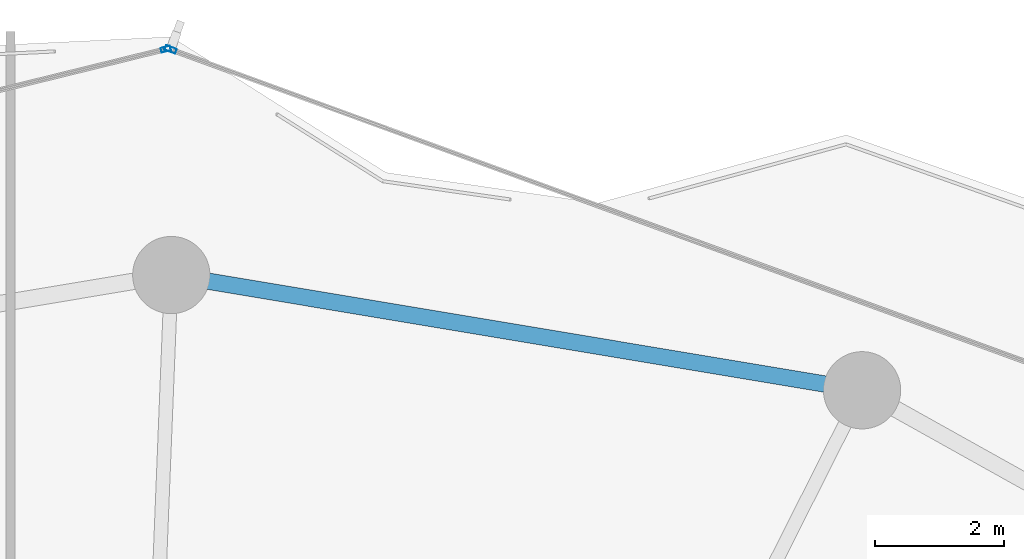
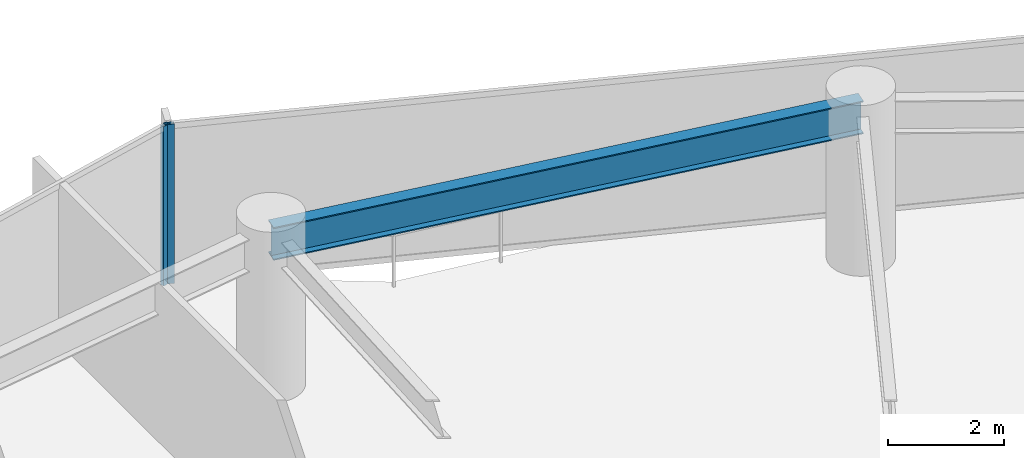
# One storey, part 19 of 28: 2 members, 1 beam, 2 elements without a shape of their own.
"""IFC4 building model written with IfcOpenShell, lengths in metres."""

from ifc_helpers import new_model, si_unit, direction, frame, origin, origin_2d, place, context, subcontext, project, spatial, hollow_rectangle, i_section, extrude, material, layer, layer_set, material_profile, profile_set, type_object, element, aggregate, save


model = new_model("IFC4")

# Units and contexts
model_context = context("Model", 3, precision=1e-05, world=origin(), true_north=direction((0.0, 1.0)))
body_context = subcontext(model_context, "Body", "Model", "MODEL_VIEW")
ifc_project = project(units=[si_unit("LENGTHUNIT", "METRE"), si_unit("AREAUNIT", "SQUARE_METRE"), si_unit("VOLUMEUNIT", "CUBIC_METRE"), si_unit("PLANEANGLEUNIT", "RADIAN"), si_unit("MASSUNIT", "GRAM", prefix="KILO")], contexts=[model_context])

# Site, building, storey
site_placement = place(None, origin())
site = spatial("IfcSite", under=ifc_project, at=site_placement, CompositionType="ELEMENT")
building_placement = place(site_placement, origin())
building = spatial("IfcBuilding", under=site, at=building_placement, Name="Kazevale Care Tower and Concert Hall", CompositionType="ELEMENT")
storey_placement = place(building_placement, frame((0.0, 0.0, 102.60009765625)))
storey = spatial("IfcBuildingStorey", under=building, at=storey_placement, Name="L26", CompositionType="ELEMENT", Elevation=102.60009765625)

# Curtain wall, member
ifc_material_1 = material(Name="Aluminium 6063-T6 and Low-E Glass", Category="aluminium")
ifc_layer_1 = layer(ifc_material_1, 0.179931640625)
ifc_layer_set_1 = layer_set([ifc_layer_1], Name="Aluminium 6063-T6 and Low-E Glass")
curtain_wall_type_1 = type_object("IfcCurtainWallType", Name="Convex Checkerboard Finned Curtain Wall CW-2", PredefinedType="NOTDEFINED", material=ifc_layer_set_1)
curtain_wall_1_placement = place(storey_placement, origin())
curtain_wall_1 = element("IfcCurtainWall", 1, at=curtain_wall_1_placement, inside=storey, type_object=curtain_wall_type_1, Name="cw:L26:f16", PredefinedType="NOTDEFINED")
ifc_material_2 = material(Name="Aluminium 6063-T6", Category="aluminium")
ifc_material_profile_1 = material_profile(ifc_material_2, hollow_rectangle(XDim=0.080078125, YDim=0.179931640625, WallThickness=0.0048828125, at=origin_2d()), Name="ALU80x180x5")
ifc_profile_set_1 = profile_set([ifc_material_profile_1], Name="Aluminium 6063-T6")
member_type_1 = type_object("IfcMemberType", Name="CW-2 Mullion ALU80x180x5", PredefinedType="MULLION", material=ifc_profile_set_1)
member_1_placement = place(storey_placement, frame((44.989501953125, 64.953369140625, 0.0), z_axis=(0.0, 0.0, 1.0), x_axis=(0.343143453498, 0.939283008641, 0.0)))
member_1 = element("IfcMember", 2, at=member_1_placement, type_object=member_type_1, Name="CW-2 mullion 1", PredefinedType="MULLION", context=body_context, shape_type="SweptSolid", body=[
    extrude(hollow_rectangle(XDim=0.080078125, YDim=0.179931640625, WallThickness=0.0048828125, at=origin_2d()), origin(), (0.0, 0.0, 1.0), 3.35986328125),
])
aggregate(curtain_wall_1, [member_1])

ifc_layer_2 = layer(ifc_material_1, 0.179931640625)
ifc_layer_set_2 = layer_set([ifc_layer_2], Name="Aluminium 6063-T6 and Low-E Glass")
curtain_wall_type_2 = type_object("IfcCurtainWallType", Name="Convex Recessed Sunroom Curtain Wall CW-3", PredefinedType="NOTDEFINED", material=ifc_layer_set_2)
curtain_wall_2_placement = place(storey_placement, origin())
curtain_wall_2 = element("IfcCurtainWall", 3, at=curtain_wall_2_placement, inside=storey, type_object=curtain_wall_type_2, Name="cw:L26:f15", PredefinedType="NOTDEFINED")
ifc_material_profile_2 = material_profile(ifc_material_2, hollow_rectangle(XDim=0.074951171875, YDim=0.14990234375, WallThickness=0.00390625, at=origin_2d()), Name="ALU75x150x4")
ifc_profile_set_2 = profile_set([ifc_material_profile_2], Name="Aluminium 6063-T6")
member_type_2 = type_object("IfcMemberType", Name="CW-3 Mullion ALU75x150x4", PredefinedType="MULLION", material=ifc_profile_set_2)
member_2_placement = place(storey_placement, frame((44.91552734375, 64.9580078125, 0.0), z_axis=(0.0, 0.0, 1.0), x_axis=(-0.239088999495, 0.970997657217, 0.0)))
member_2 = element("IfcMember", 4, at=member_2_placement, type_object=member_type_2, Name="CW-3 mullion 2", PredefinedType="MULLION", context=body_context, shape_type="SweptSolid", body=[
    extrude(hollow_rectangle(XDim=0.074951171875, YDim=0.14990234375, WallThickness=0.00390625, at=origin_2d()), origin(), (0.0, 0.0, 1.0), 3.35986328125),
])
aggregate(curtain_wall_2, [member_2])

# Beam
ifc_material_3 = material(Name="Steel ASTM A572 Gr 50", Category="steel")
ifc_material_profile_3 = material_profile(ifc_material_3, i_section(OverallWidth=0.256103515625, OverallDepth=0.693115234375, WebThickness=0.014404296875, FlangeThickness=0.023681640625, at=origin_2d()), Name="W690x170")
ifc_profile_set_3 = profile_set([ifc_material_profile_3], Name="Steel ASTM A572 Gr 50")
beam_type = type_object("IfcBeamType", Name="Waist Ring Beam W690x170", PredefinedType="BEAM", material=ifc_profile_set_3)
beam_placement = place(storey_placement, frame((55.72998046875, 59.659912109375, 3.013427734375), z_axis=(-0.986368436187, 0.164551840139, 0.0), x_axis=(-0.164551840139, -0.986368436187, 0.0)))
element("IfcBeam", 5, at=beam_placement, inside=storey, type_object=beam_type, Name="beam:L26:ring:04", PredefinedType="BEAM", context=body_context, shape_type="SweptSolid", body=[
    extrude(i_section(OverallWidth=0.256103515625, OverallDepth=0.693115234375, WebThickness=0.014404296875, FlangeThickness=0.023681640625, at=origin_2d()), origin(), (0.0, 0.0, 1.0), 10.878173828125),
])

save(model, "model.ifc")
